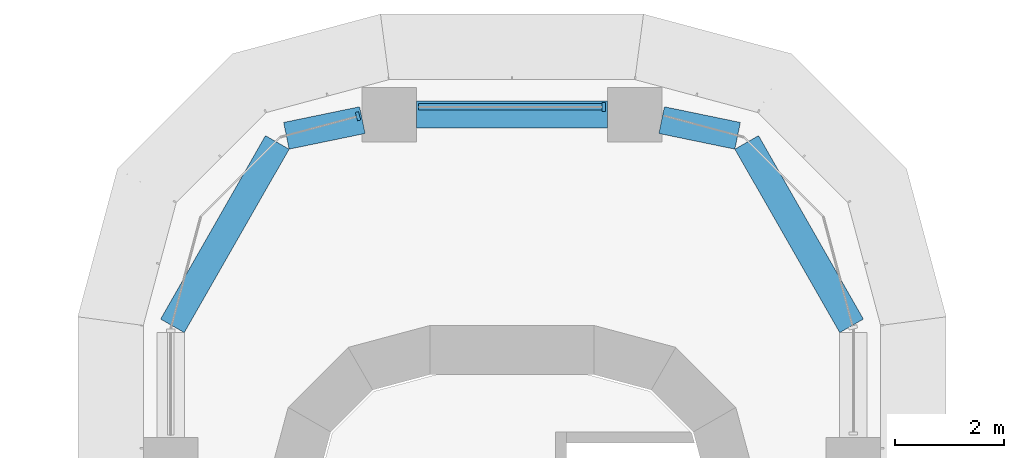
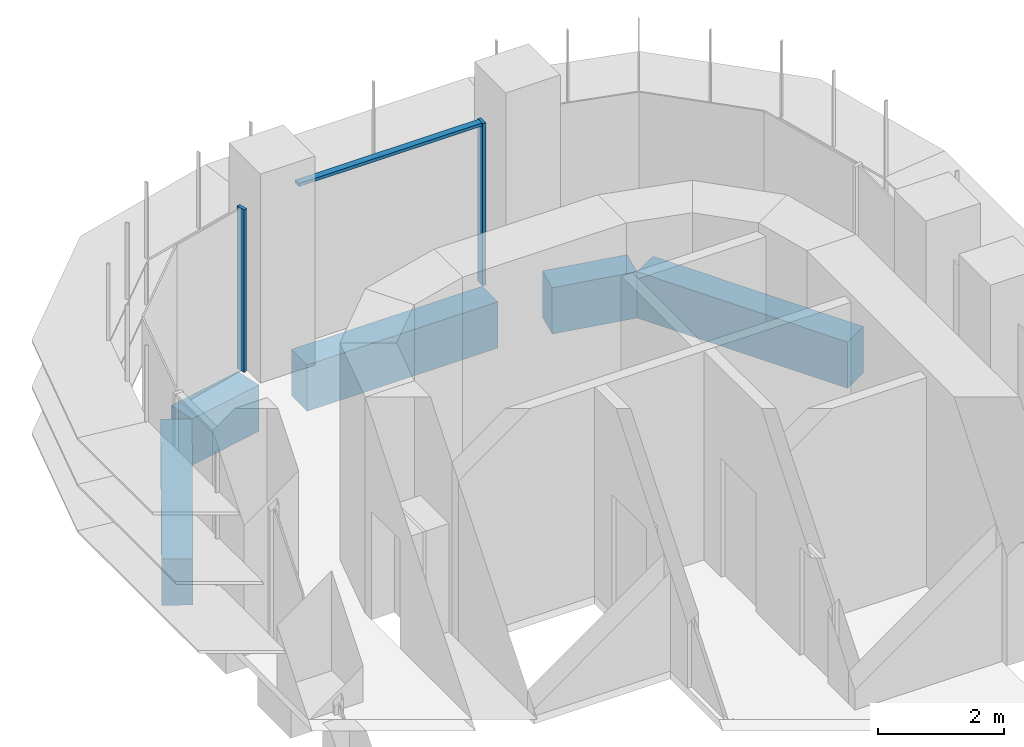
# One storey, part 12 of 23: 5 beams, 3 members, 2 elements without a shape of their own.
"""IFC4 building model written with IfcOpenShell, lengths in metres."""

from ifc_helpers import new_model, si_unit, direction, frame, origin, origin_2d, place, context, subcontext, project, spatial, polyline, rectangle, outline, extrude, source, transform, mapped, material, material_profile, profile_set, type_object, element, aggregate, save


model = new_model("IFC4")

# Units and contexts
model_context = context("Model", 3, precision=1e-05, world=origin(), true_north=direction((0.0, 1.0)))
body_context = subcontext(model_context, "Body", "Model", "MODEL_VIEW")
ifc_project = project(units=[si_unit("LENGTHUNIT", "METRE"), si_unit("AREAUNIT", "SQUARE_METRE"), si_unit("VOLUMEUNIT", "CUBIC_METRE"), si_unit("PLANEANGLEUNIT", "RADIAN"), si_unit("MASSUNIT", "GRAM", prefix="KILO")], contexts=[model_context])

# Site, building, storey
site_placement = place(None, origin())
site = spatial("IfcSite", under=ifc_project, at=site_placement, CompositionType="ELEMENT")
building_placement = place(site_placement, origin())
building = spatial("IfcBuilding", under=site, at=building_placement, Name="Zarbagh Exchange Tower", CompositionType="ELEMENT")
storey_placement = place(building_placement, frame((0.0, 0.0, 64.800048828125)))
storey = spatial("IfcBuildingStorey", under=building, at=storey_placement, Name="L14", CompositionType="ELEMENT", Elevation=64.800048828125)

# Beams
ifc_material_1 = material(Name="Concrete C60/75", Category="concrete")
ifc_material_profile = material_profile(ifc_material_1, rectangle(XDim=0.5, YDim=0.89990234375, at=origin_2d()), Name="RC spandrel beam 500 x 900 C60/75")
ifc_profile_set = profile_set([ifc_material_profile], Name="Concrete C60/75")
beam_type = type_object("IfcBeamType", Name="RC spandrel beam 500 x 900 C60/75", PredefinedType="SPANDREL", material=ifc_profile_set)
beam_1_placement = place(storey_placement, frame((-6.217041015625, 29.24169921875, -0.60009765625), z_axis=(0.496220481126, 0.868196541177, 0.0), x_axis=(-0.868196541177, 0.496220481126, 0.0)))
element("IfcBeam", 1, at=beam_1_placement, inside=storey, type_object=beam_type, Name="RC spandrel beam", PredefinedType="SPANDREL", context=body_context, shape_type="SweptSolid", body=[
    extrude(rectangle(XDim=0.5, YDim=0.89990234375, at=origin_2d()), origin(), (0.0, 0.0, 1.0), 3.869140625),
])
beam_2_placement = place(storey_placement, frame((-4.130615234375, 32.7216796875, -0.60009765625), z_axis=(0.979352054934, 0.202162193541, 0.0), x_axis=(-0.202162193541, 0.979352054934, 0.0)))
element("IfcBeam", 2, at=beam_2_placement, inside=storey, type_object=beam_type, Name="RC spandrel beam", PredefinedType="SPANDREL", context=body_context, shape_type="SweptSolid", body=[
    extrude(rectangle(XDim=0.5, YDim=0.89990234375, at=origin_2d()), origin(), (0.0, 0.0, 1.0), 1.420166015625),
])
beam_3_placement = place(storey_placement, frame((-1.75, 33.110107421875, -0.60009765625), z_axis=(1.0, 0.0, 0.0), x_axis=(0.0, 1.0, 0.0)))
element("IfcBeam", 3, at=beam_3_placement, inside=storey, type_object=beam_type, Name="RC spandrel beam", PredefinedType="SPANDREL", context=body_context, shape_type="SweptSolid", body=[
    extrude(rectangle(XDim=0.5, YDim=0.89990234375, at=origin_2d()), origin(), (0.0, 0.0, 1.0), 3.5),
])
beam_4_placement = place(storey_placement, frame((2.73974609375, 33.0087890625, -0.60009765625), z_axis=(0.979352054934, -0.202162193541, 0.0), x_axis=(0.202162193541, 0.979352054934, 0.0)))
element("IfcBeam", 4, at=beam_4_placement, inside=storey, type_object=beam_type, Name="RC spandrel beam", PredefinedType="SPANDREL", context=body_context, shape_type="SweptSolid", body=[
    extrude(rectangle(XDim=0.5, YDim=0.89990234375, at=origin_2d()), origin(), (0.0, 0.0, 1.0), 1.420166015625),
])
beam_5_placement = place(storey_placement, frame((4.297119140625, 32.600830078125, -0.60009765625), z_axis=(0.496220481126, -0.868196541177, 0.0), x_axis=(0.868196541177, 0.496220481126, 0.0)))
element("IfcBeam", 5, at=beam_5_placement, inside=storey, type_object=beam_type, Name="RC spandrel beam", PredefinedType="SPANDREL", context=body_context, shape_type="SweptSolid", body=[
    extrude(rectangle(XDim=0.5, YDim=0.89990234375, at=origin_2d()), origin(), (0.0, 0.0, 1.0), 3.869140625),
])

# Curtain wall, member
ifc_material_2 = material(Name="Anodised aluminium frame and glazing", Category="aluminium")
curtain_wall_type = type_object("IfcCurtainWallType", Name="CWA Ribbon glazing, lower zones", PredefinedType="NOTDEFINED", material=ifc_material_2)
curtain_wall_1_placement = place(storey_placement, origin())
curtain_wall_1 = element("IfcCurtainWall", 6, at=curtain_wall_1_placement, inside=storey, type_object=curtain_wall_type, Name="CWA24 curtain wall", PredefinedType="NOTDEFINED")
ifc_material_3 = material(Name="Anodised aluminium frame", Category="aluminium")
member_type_1 = type_object("IfcMemberType", Name="MUA Mullion, anodised aluminium frame", PredefinedType="MULLION", material=ifc_material_3)
shared_shape_1 = source(origin(), body_context, "Body", "SweptSolid", [
    extrude(outline(polyline([(0.0, -0.080078125), (0.06005859375, -0.080078125), (0.06005859375, 0.080078125), (0.0, 0.080078125), (0.0, -0.080078125)])), origin(), (0.0, 0.0, 1.0), 3.14990234375),
])
placement = place(storey_placement, origin())
member_1 = element("IfcMember", 7, at=placement, type_object=member_type_1, Name="CWA24 mullion 1.1", PredefinedType="MULLION", context=body_context, shape_type="MappedRepresentation", body=[
    mapped(shared_shape_1, transform((1.7099609375, 33.25, 0.0), x_axis=(-1.0, 0.0, 0.0), y_axis=(0.0, -1.0, 0.0), z_axis=(0.0, 0.0, 1.0))),
])

curtain_wall_2_placement = place(storey_placement, origin())
curtain_wall_2 = element("IfcCurtainWall", 8, at=curtain_wall_2_placement, inside=storey, type_object=curtain_wall_type, Name="CWA25 curtain wall", PredefinedType="NOTDEFINED")
member_2 = element("IfcMember", 9, at=placement, type_object=member_type_1, Name="CWA25 mullion 1.1", PredefinedType="MULLION", context=body_context, shape_type="MappedRepresentation", body=[
    mapped(shared_shape_1, transform((-2.7900390625, 33.087646484375, 0.0), x_axis=(-0.965924289636, -0.258824779902, 0.0), y_axis=(0.258824779902, -0.965924289636, 0.0), z_axis=(0.0, 0.0, 1.0))),
])
aggregate(curtain_wall_2, [member_2])

# Member
member_type_2 = type_object("IfcMemberType", Name="TRA Transom, anodised aluminium frame", PredefinedType="USERDEFINED", material=ifc_material_3)
shared_shape_2 = source(origin(), body_context, "Body", "SweptSolid", [
    extrude(outline(polyline([(-0.06005859375, -0.06005859375), (0.0, -0.06005859375), (0.0, 0.06005859375), (-0.06005859375, 0.06005859375), (-0.06005859375, -0.06005859375)])), origin(), (0.0, 0.0, 1.0), 3.360107421875),
])
member_3 = element("IfcMember", 10, at=placement, type_object=member_type_2, Name="CWA24 transom 1.1", ObjectType="TRANSOM", PredefinedType="USERDEFINED", context=body_context, shape_type="MappedRepresentation", body=[
    mapped(shared_shape_2, transform((1.64990234375, 33.25, 3.14990234375), x_axis=(0.0, 0.0, 1.0), y_axis=(0.0, 1.0, 0.0), z_axis=(-1.0, 0.0, 0.0))),
])

aggregate(curtain_wall_1, [member_1, member_3])

save(model, "model.ifc")
